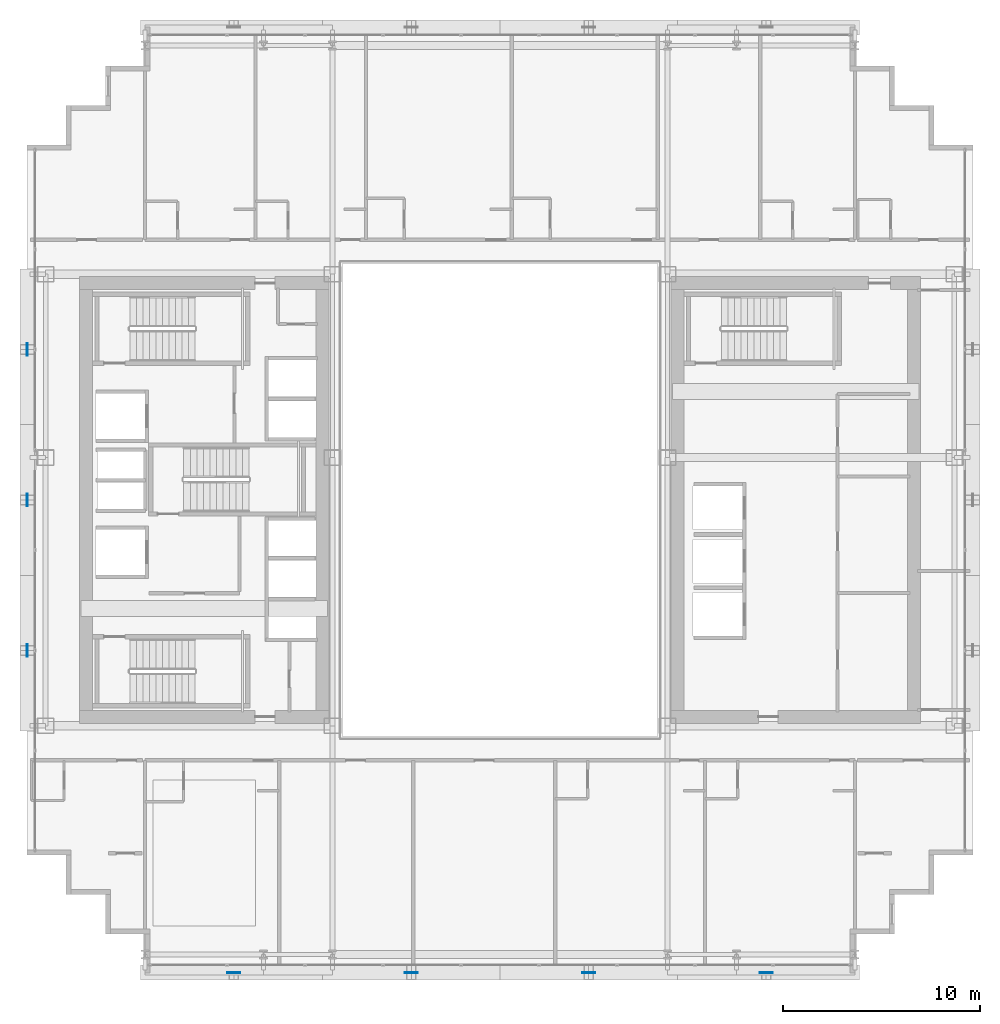
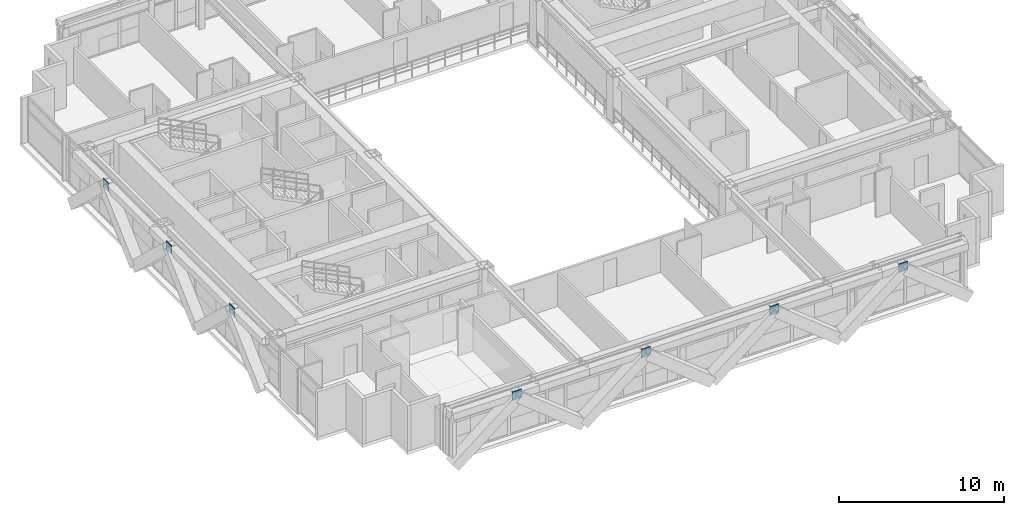
# One storey, part 25 of 35: 7 plates.
"""IFC4 building model written with IfcOpenShell, lengths in metres."""

from ifc_helpers import new_model, si_unit, direction, frame, origin, origin_2d, place, context, subcontext, project, spatial, rectangle, extrude, source, transform, mapped, material, layer, layer_set, type_object, element, save


model = new_model("IFC4")

# Units and contexts
model_context = context("Model", 3, precision=1e-05, world=origin(), true_north=direction((0.0, 1.0)))
body_context = subcontext(model_context, "Body", "Model", "MODEL_VIEW")
ifc_project = project(units=[si_unit("LENGTHUNIT", "METRE"), si_unit("AREAUNIT", "SQUARE_METRE"), si_unit("VOLUMEUNIT", "CUBIC_METRE"), si_unit("PLANEANGLEUNIT", "RADIAN"), si_unit("MASSUNIT", "GRAM", prefix="KILO")], contexts=[model_context])

# Site, building, storey
site_placement = place(None, origin())
site = spatial("IfcSite", under=ifc_project, at=site_placement, CompositionType="ELEMENT")
building_placement = place(site_placement, origin())
building = spatial("IfcBuilding", under=site, at=building_placement, Name="Ocotamira Hotel", CompositionType="ELEMENT")
storey_placement = place(building_placement, frame((0.0, 0.0, 140.39990234375)))
storey = spatial("IfcBuildingStorey", under=building, at=storey_placement, Name="L35", CompositionType="ELEMENT", Elevation=140.39990234375)

# Plates
ifc_material = material(Name="Pale-metal coated steel ASTM A572 Grade 50", Category="steel")
ifc_layer = layer(ifc_material, 0.0400390625)
ifc_layer_set = layer_set([ifc_layer], Name="Pale-metal coated steel ASTM A572 Grade 50")
plate_type = type_object("IfcPlateType", Name="PLT-GUSSET-40", PredefinedType="SHEET", material=ifc_layer_set)
shared_shape_1 = source(origin(), body_context, "Body", "SweptSolid", [
    extrude(rectangle(XDim=0.64990234375, YDim=0.0400390625, at=origin_2d()), origin(), (0.0, 0.0, 1.0), 0.64990234375),
])
for number, where, z_axis, x_axis, name in (
    (1, (18.5, 2.030029296875, 2.78515625), (0.0, 0.0, 1.0), (1.0, 0.0, 0.0), "L35 Exoskeleton Diagrid S0.1 End Gusset B"),
    (2, (27.5, 2.030029296875, 2.78515625), (0.0, 0.0, 1.0), (1.0, 0.0, 0.0), "L35 Exoskeleton Diagrid S1.1 End Gusset B"),
    (3, (36.5, 2.030029296875, 2.78515625), (0.0, 0.0, 1.0), (1.0, 0.0, 0.0), "L35 Exoskeleton Diagrid S2.1 End Gusset B"),
    (4, (45.5, 2.030029296875, 2.78515625), (0.0, 0.0, 1.0), (1.0, 0.0, 0.0), "L35 Exoskeleton Diagrid S3.1 End Gusset B"),
):
    element("IfcPlate", number, at=place(storey_placement, frame(where, z_axis=z_axis, x_axis=x_axis)), inside=storey, type_object=plate_type, Name=name, PredefinedType="SHEET", context=body_context, shape_type="MappedRepresentation", body=[
        mapped(shared_shape_1, transform((0.0, 0.0, 0.0), scale=1.0)),
    ])
shared_shape_2 = source(origin(), body_context, "Body", "SweptSolid", [
    extrude(rectangle(XDim=0.0400390625, YDim=0.64990234375, at=origin_2d()), origin(), (0.0, 0.0, 1.0), 0.64990234375),
])
for number, where, z_axis, x_axis, name in (
    (5, (8.030029296875, 18.36669921875, 2.78515625), (0.0, 0.0, 1.0), (1.0, 0.0, 0.0), "L35 Exoskeleton Diagrid W0.1 End Gusset B"),
    (6, (8.030029296875, 26.0, 2.78515625), (0.0, 0.0, 1.0), (1.0, 0.0, 0.0), "L35 Exoskeleton Diagrid W1.1 End Gusset B"),
    (7, (8.030029296875, 33.63330078125, 2.78515625), (0.0, 0.0, 1.0), (1.0, 0.0, 0.0), "L35 Exoskeleton Diagrid W2.1 End Gusset B"),
):
    element("IfcPlate", number, at=place(storey_placement, frame(where, z_axis=z_axis, x_axis=x_axis)), inside=storey, type_object=plate_type, Name=name, PredefinedType="SHEET", context=body_context, shape_type="MappedRepresentation", body=[
        mapped(shared_shape_2, transform((0.0, 0.0, 0.0), scale=1.0)),
    ])

save(model, "model.ifc")
